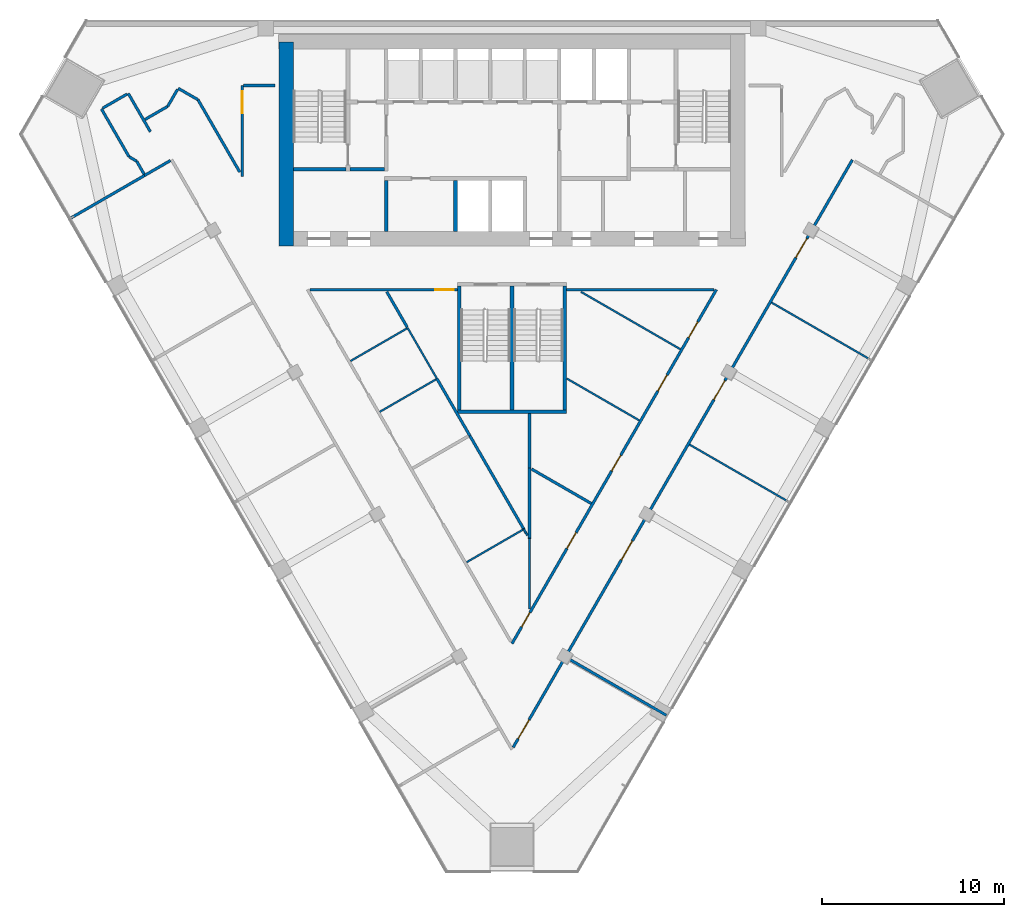
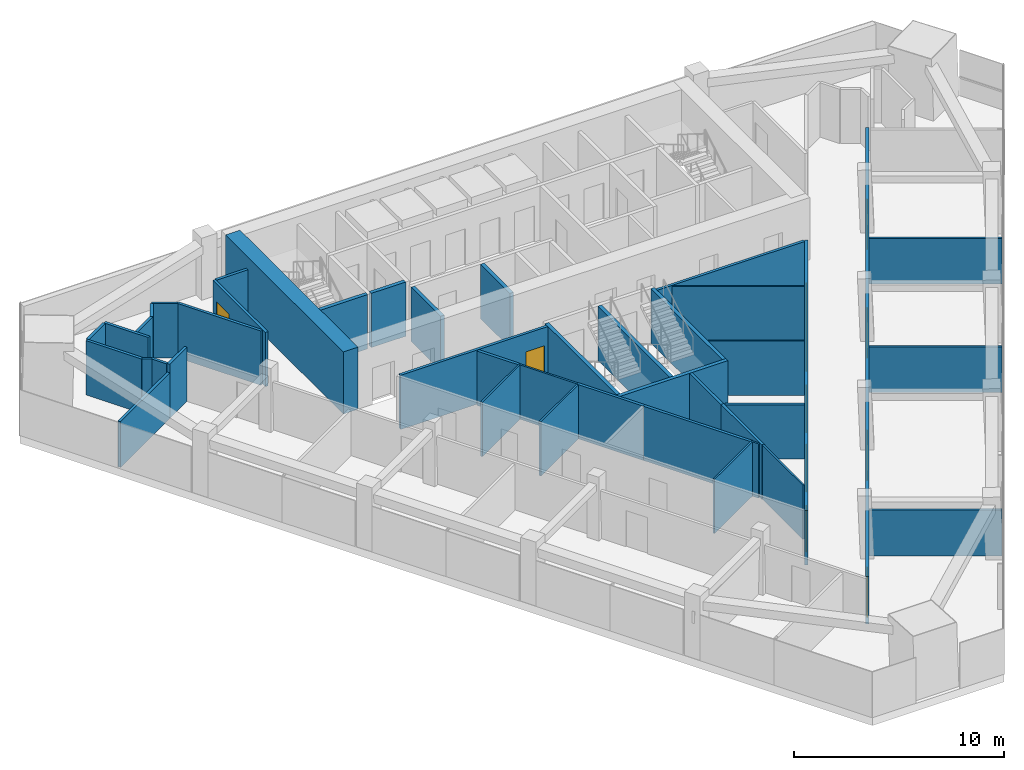
# One storey, part 9 of 13: 43 walls, 11 doors, 11 openings.
"""IFC4 building model written with IfcOpenShell, lengths in metres."""

from ifc_helpers import new_model, si_unit, direction, frame, frame_2d, origin, place, context, subcontext, project, spatial, rectangle, extrude, material, layer, layer_set, type_object, element, fill, save


model = new_model("IFC4")

# Units and contexts
model_context = context("Model", 3, precision=1e-05, world=origin(), true_north=direction((0.0, 1.0)))
body_context = subcontext(model_context, "Body", "Model", "MODEL_VIEW")
ifc_project = project(units=[si_unit("LENGTHUNIT", "METRE"), si_unit("AREAUNIT", "SQUARE_METRE"), si_unit("VOLUMEUNIT", "CUBIC_METRE"), si_unit("PLANEANGLEUNIT", "RADIAN"), si_unit("MASSUNIT", "GRAM", prefix="KILO")], contexts=[model_context])

# Site, building, storey
site_placement = place(None, origin())
site = spatial("IfcSite", under=ifc_project, at=site_placement, CompositionType="ELEMENT")
building_placement = place(site_placement, origin())
building = spatial("IfcBuilding", under=site, at=building_placement, Name="Altiplano Prism Tower", CompositionType="ELEMENT")
storey_placement = place(building_placement, frame((0.0, 0.0, 156.60009765625)))
storey = spatial("IfcBuildingStorey", under=building, at=storey_placement, Name="L40", CompositionType="ELEMENT", Elevation=156.60009765625)

# Walls
ifc_material_1 = material(Name="Concrete C60/75", Category="concrete")
ifc_layer_1 = layer(ifc_material_1, 0.800048828125)
ifc_layer_set_1 = layer_set([ifc_layer_1], Name="Concrete C60/75")
wall_type_1 = type_object("IfcWallType", Name="Core wall 800", PredefinedType="SHEAR", material=ifc_layer_set_1)
wall_1_placement = place(storey_placement, frame((72.60009765625, 103.800048828125, 0.0), z_axis=(0.0, 0.0, 1.0), x_axis=(0.0, -1.0, 0.0)))
element("IfcWall", 1, at=wall_1_placement, inside=storey, type_object=wall_type_1, Name="Core wall W L40", PredefinedType="SHEAR", context=body_context, shape_type="SweptSolid", body=[
    extrude(rectangle(XDim=11.199951171875, YDim=0.800048828125, at=frame_2d((5.60009765625, 0.0))), origin(), (0.0, 0.0, 1.0), 3.599853515625),
])
ifc_material_2 = material(Name="Plasterboard on steel stud", Category="steel")
ifc_layer_2 = layer(ifc_material_2, 0.10009765625)
ifc_layer_set_2 = layer_set([ifc_layer_2], Name="Plasterboard on steel stud")
wall_type_2 = type_object("IfcWallType", Name="Partition 100 wet", PredefinedType="PARTITIONING", material=ifc_layer_set_2)
wall_2_placement = place(storey_placement, frame((79.27490234375, 88.09716796875, 0.0), z_axis=(0.0, 0.0, 1.0), x_axis=(-0.866014071019, -0.500019628412, 0.0)))
element("IfcWall", 2, at=wall_2_placement, inside=storey, type_object=wall_type_2, Name="Partition P03 L40 031", PredefinedType="PARTITIONING", context=body_context, shape_type="SweptSolid", body=[
    extrude(rectangle(XDim=3.626708984375, YDim=0.10009765625, at=frame_2d((1.8134765625, 0.0))), origin(), (0.0, 0.0, 1.0), 3.14990234375),
])
wall_3_placement = place(storey_placement, frame((77.742919921875, 83.4970703125, 0.0), z_axis=(0.0, 0.0, 1.0), x_axis=(0.866009290698, 0.500027907647, 0.0)))
element("IfcWall", 3, at=wall_3_placement, inside=storey, type_object=wall_type_2, Name="Partition P03 L40 032", PredefinedType="PARTITIONING", context=body_context, shape_type="SweptSolid", body=[
    extrude(rectangle(XDim=3.551513671875, YDim=0.10009765625, at=frame_2d((1.77587890625, 0.0))), origin(), (0.0, 0.0, 1.0), 3.14990234375),
])
wall_4_placement = place(storey_placement, frame((80.87353515625, 85.327880859375, 0.0), z_axis=(0.0, 0.0, 1.0), x_axis=(-0.499950149885, 0.866054182849, 0.0)))
element("IfcWall", 4, at=wall_4_placement, inside=storey, type_object=wall_type_2, Name="Partition P03 L40 033", PredefinedType="PARTITIONING", context=body_context, shape_type="SweptSolid", body=[
    extrude(rectangle(XDim=3.217529296875, YDim=0.10009765625, at=frame_2d((1.60888671875, 0.0))), origin(), (0.0, 0.0, 1.0), 3.14990234375),
])
wall_5_placement = place(storey_placement, frame((85.962890625, 72.681396484375, 0.0), z_axis=(0.0, 0.0, 1.0), x_axis=(0.0, 1.0, 0.0)))
element("IfcWall", 5, at=wall_5_placement, inside=storey, type_object=wall_type_2, Name="Partition P03 L40 034", PredefinedType="PARTITIONING", context=body_context, shape_type="SweptSolid", body=[
    extrude(rectangle(XDim=3.871826171875, YDim=0.10009765625, at=frame_2d((1.93603515625, 0.0))), origin(), (0.0, 0.0, 1.0), 3.14990234375),
])
wall_6_placement = place(storey_placement, frame((85.844482421875, 76.718017578125, 0.0), z_axis=(0.0, 0.0, 1.0), x_axis=(-0.49996174997, 0.866047486323, 0.0)))
element("IfcWall", 6, at=wall_6_placement, inside=storey, type_object=wall_type_2, Name="Partition P03 L40 035", PredefinedType="PARTITIONING", context=body_context, shape_type="SweptSolid", body=[
    extrude(rectangle(XDim=0.412109375, YDim=0.10009765625, at=frame_2d((0.2060546875, 0.0))), origin(), (0.0, 0.0, 1.0), 3.14990234375),
])
wall_7_placement = place(storey_placement, frame((85.6484375, 77.0576171875, 0.0), z_axis=(0.0, 0.0, 1.0), x_axis=(-0.866014071019, -0.500019628412, 0.0)))
element("IfcWall", 7, at=wall_7_placement, inside=storey, type_object=wall_type_2, Name="Partition P03 L40 036", PredefinedType="PARTITIONING", context=body_context, shape_type="SweptSolid", body=[
    extrude(rectangle(XDim=3.626708984375, YDim=0.10009765625, at=frame_2d((1.8134765625, 0.0))), origin(), (0.0, 0.0, 1.0), 3.14990234375),
])
wall_8_placement = place(storey_placement, frame((88.78759765625, 90.080810546875, 0.0), z_axis=(0.0, 0.0, 1.0), x_axis=(0.866010599466, -0.500025640954, 0.0)))
element("IfcWall", 8, at=wall_8_placement, inside=storey, type_object=wall_type_2, Name="Partition P03 L40 037", PredefinedType="PARTITIONING", context=body_context, shape_type="SweptSolid", body=[
    extrude(rectangle(XDim=6.296630859375, YDim=0.10009765625, at=frame_2d((3.1484375, 0.0))), origin(), (0.0, 0.0, 1.0), 3.14990234375),
])
for number, where, z_axis, x_axis, name in (
    (9, (100.22021484375, 78.53759765625, 0.0), (0.0, 0.0, 1.0), (-0.866015887322, 0.500016482634, 0.0), "Partition P03 L40 049"),
    (10, (104.72021484375, 86.33203125, 0.0), (0.0, 0.0, 1.0), (-0.866032601554, 0.49998753289, 0.0), "Partition P03 L40 050"),
):
    element("IfcWall", number, at=place(storey_placement, frame(where, z_axis=z_axis, x_axis=x_axis)), inside=storey, type_object=wall_type_2, Name=name, PredefinedType="PARTITIONING", context=body_context, shape_type="SweptSolid", body=[
        extrude(rectangle(XDim=6.324951171875, YDim=0.10009765625, at=frame_2d((3.16259765625, 0.0))), origin(), (0.0, 0.0, 1.0), 2.64990234375),
    ])
wall_9_placement = place(storey_placement, frame((88.0, 85.327880859375, 0.0), z_axis=(0.0, 0.0, 1.0), x_axis=(0.866030989016, -0.499990325971, 0.0)))
element("IfcWall", 11, at=wall_9_placement, inside=storey, type_object=wall_type_2, Name="Partition P03 L40 054", PredefinedType="PARTITIONING", context=body_context, shape_type="SweptSolid", body=[
    extrude(rectangle(XDim=4.60205078125, YDim=0.10009765625, at=frame_2d((2.301025390625, 0.0))), origin(), (0.0, 0.0, 1.0), 3.14990234375),
])
ifc_layer_3 = layer(ifc_material_2, 0.14990234375)
ifc_layer_set_3 = layer_set([ifc_layer_3], Name="Plasterboard on steel stud")
wall_type_3 = type_object("IfcWallType", Name="Partition 150 corridor", PredefinedType="PARTITIONING", material=ifc_layer_set_3)
wall_10_placement = place(storey_placement, frame((88.0, 90.198974609375, 0.0), z_axis=(0.0, 0.0, 1.0), x_axis=(1.0, 0.0, 0.0)))
element("IfcWall", 12, at=wall_10_placement, inside=storey, type_object=wall_type_3, Name="Partition P06 L40 001", PredefinedType="PARTITIONING", context=body_context, shape_type="SweptSolid", body=[
    extrude(rectangle(XDim=8.083251953125, YDim=0.14990234375, at=frame_2d((4.04150390625, 0.0))), origin(), (0.0, 0.0, 1.0), 3.14990234375),
])

# Wall, opening, door
wall_11_placement = place(storey_placement, frame((73.916748046875, 90.198974609375, 0.0), z_axis=(0.0, 0.0, 1.0), x_axis=(1.0, 0.0, 0.0)))
wall_11 = element("IfcWall", 13, at=wall_11_placement, inside=storey, type_object=wall_type_3, Name="Partition P06 L40 003", PredefinedType="PARTITIONING", context=body_context, shape_type="SweptSolid", body=[
    extrude(rectangle(XDim=8.083251953125, YDim=0.14990234375, at=frame_2d((4.04150390625, 0.0))), origin(), (0.0, 0.0, 1.0), 3.14990234375),
])
opening_1_placement = place(wall_11_placement, frame((6.883056640625, 0.0, 0.0)))
opening_1 = element("IfcOpeningElement", 14, at=opening_1_placement, cuts=wall_11, Name="Opening D1451", PredefinedType="OPENING", context=body_context, shape_type="SweptSolid", body=[
    extrude(rectangle(XDim=1.0, YDim=2.10009765625, at=frame_2d((0.5, 1.050048828125))), frame((0.0, 0.08544921875, 0.0), z_axis=(0.0, -1.0, 0.0), x_axis=(1.0, 0.0, 0.0)), (0.0, 0.0, 1.0), 0.1708984375),
])
ifc_material_3 = material(Name="Timber", Category="wood")
door_type_1 = type_object("IfcDoorType", Name="Room door 1000 x 2100", OperationType="NOTDEFINED", PredefinedType="NOTDEFINED", material=ifc_material_3)
door_1_placement = place(opening_1_placement, origin())
door_1 = element("IfcDoor", 15, at=door_1_placement, inside=storey, type_object=door_type_1, Name="Door D1451", OperationType="SINGLE_SWING_RIGHT", OverallHeight=2.10009765625, OverallWidth=1.0, PredefinedType="NOTDEFINED", context=body_context, shape_type="SweptSolid", body=[
    extrude(rectangle(XDim=1.0, YDim=2.10009765625, at=frame_2d((0.5, 1.050048828125))), frame((0.0, 0.02490234375, 0.0), z_axis=(0.0, -1.0, 0.0), x_axis=(1.0, 0.0, 0.0)), (0.0, 0.0, 1.0), 0.050048828125),
])
fill(opening_1, door_1)

# Wall
wall_12_placement = place(storey_placement, frame((64.832763671875, 96.466064453125, 0.0), z_axis=(0.0, 0.0, 1.0), x_axis=(0.866015045157, 0.50001794124, 0.0)))
element("IfcWall", 16, at=wall_12_placement, inside=storey, type_object=wall_type_3, Name="Partition P06 L40 004", PredefinedType="PARTITIONING", context=body_context, shape_type="SweptSolid", body=[
    extrude(rectangle(XDim=1.64501953125, YDim=0.14990234375, at=frame_2d((0.822509765625, 0.0))), origin(), (0.0, 0.0, 1.0), 3.14990234375),
])

# Wall, openings, doors
wall_13_placement = place(storey_placement, frame((85.06494140625, 65.087890625, 0.0), z_axis=(0.0, 0.0, 1.0), x_axis=(0.500000254076, 0.866025257093, 0.0)))
wall_13 = element("IfcWall", 17, at=wall_13_placement, inside=storey, type_object=wall_type_3, Name="Partition P06 L40 006", PredefinedType="PARTITIONING", context=body_context, shape_type="SweptSolid", body=[
    extrude(rectangle(XDim=37.2255859375, YDim=0.14990234375, at=frame_2d((18.61279296875, 0.0))), origin(), (0.0, 0.0, 1.0), 2.75),
])
opening_2_placement = place(wall_13_placement, frame((0.5419921875, 0.0, 0.0)))
opening_2 = element("IfcOpeningElement", 18, at=opening_2_placement, cuts=wall_13, Name="Opening D1445", PredefinedType="OPENING", context=body_context, shape_type="SweptSolid", body=[
    extrude(rectangle(XDim=1.199951171875, YDim=2.10009765625, at=frame_2d((0.60009765625, 1.050048828125))), frame((0.0, 0.08544921875, 0.0), z_axis=(0.0, -1.0, 0.0), x_axis=(1.0, 0.0, 0.0)), (0.0, 0.0, 1.0), 0.1708984375),
])
opening_3_placement = place(wall_13_placement, frame((11.8759765625, 0.0, 0.0)))
opening_3 = element("IfcOpeningElement", 19, at=opening_3_placement, cuts=wall_13, Name="Opening D1446", PredefinedType="OPENING", context=body_context, shape_type="SweptSolid", body=[
    extrude(rectangle(XDim=1.199951171875, YDim=2.10009765625, at=frame_2d((0.60009765625, 1.050048828125))), frame((0.0, 0.08544921875, 0.0), z_axis=(0.0, -1.0, 0.0), x_axis=(1.0, 0.0, 0.0)), (0.0, 0.0, 1.0), 0.1708984375),
])
opening_4_placement = place(wall_13_placement, frame((22.02587890625, 0.0, 0.0)))
opening_4 = element("IfcOpeningElement", 20, at=opening_4_placement, cuts=wall_13, Name="Opening D1447", PredefinedType="OPENING", context=body_context, shape_type="SweptSolid", body=[
    extrude(rectangle(XDim=1.199951171875, YDim=2.10009765625, at=frame_2d((0.60009765625, 1.050048828125))), frame((0.0, 0.08544921875, 0.0), z_axis=(0.0, -1.0, 0.0), x_axis=(1.0, 0.0, 0.0)), (0.0, 0.0, 1.0), 0.1708984375),
])
opening_5_placement = place(wall_13_placement, frame((31.02587890625, 0.0, 0.0)))
opening_5 = element("IfcOpeningElement", 21, at=opening_5_placement, cuts=wall_13, Name="Opening D1448", PredefinedType="OPENING", context=body_context, shape_type="SweptSolid", body=[
    extrude(rectangle(XDim=1.199951171875, YDim=2.10009765625, at=frame_2d((0.60009765625, 1.050048828125))), frame((0.0, 0.08544921875, 0.0), z_axis=(0.0, -1.0, 0.0), x_axis=(1.0, 0.0, 0.0)), (0.0, 0.0, 1.0), 0.1708984375),
])
door_type_2 = type_object("IfcDoorType", Name="Shared room door 1200 x 2100", OperationType="NOTDEFINED", PredefinedType="NOTDEFINED", material=ifc_material_3)
door_2_placement = place(opening_2_placement, origin())
door_2 = element("IfcDoor", 22, at=door_2_placement, inside=storey, type_object=door_type_2, Name="Door D1445", OperationType="SINGLE_SWING_LEFT", OverallHeight=2.10009765625, OverallWidth=1.199951171875, PredefinedType="NOTDEFINED", context=body_context, shape_type="SweptSolid", body=[
    extrude(rectangle(XDim=1.199951171875, YDim=2.10009765625, at=frame_2d((0.60009765625, 1.050048828125))), frame((0.0, 0.02490234375, 0.0), z_axis=(0.0, -1.0, 0.0), x_axis=(1.0, 0.0, 0.0)), (0.0, 0.0, 1.0), 0.050048828125),
])
fill(opening_2, door_2)
door_3_placement = place(opening_3_placement, origin())
door_3 = element("IfcDoor", 23, at=door_3_placement, inside=storey, type_object=door_type_2, Name="Door D1446", OperationType="SINGLE_SWING_RIGHT", OverallHeight=2.10009765625, OverallWidth=1.199951171875, PredefinedType="NOTDEFINED", context=body_context, shape_type="SweptSolid", body=[
    extrude(rectangle(XDim=1.199951171875, YDim=2.10009765625, at=frame_2d((0.60009765625, 1.050048828125))), frame((0.0, 0.02490234375, 0.0), z_axis=(0.0, -1.0, 0.0), x_axis=(1.0, 0.0, 0.0)), (0.0, 0.0, 1.0), 0.050048828125),
])
fill(opening_3, door_3)
door_4_placement = place(opening_4_placement, origin())
door_4 = element("IfcDoor", 24, at=door_4_placement, inside=storey, type_object=door_type_2, Name="Door D1447", OperationType="SINGLE_SWING_LEFT", OverallHeight=2.10009765625, OverallWidth=1.199951171875, PredefinedType="NOTDEFINED", context=body_context, shape_type="SweptSolid", body=[
    extrude(rectangle(XDim=1.199951171875, YDim=2.10009765625, at=frame_2d((0.60009765625, 1.050048828125))), frame((0.0, 0.02490234375, 0.0), z_axis=(0.0, -1.0, 0.0), x_axis=(1.0, 0.0, 0.0)), (0.0, 0.0, 1.0), 0.050048828125),
])
fill(opening_4, door_4)
door_5_placement = place(opening_5_placement, origin())
door_5 = element("IfcDoor", 25, at=door_5_placement, inside=storey, type_object=door_type_2, Name="Door D1448", OperationType="SINGLE_SWING_LEFT", OverallHeight=2.10009765625, OverallWidth=1.199951171875, PredefinedType="NOTDEFINED", context=body_context, shape_type="SweptSolid", body=[
    extrude(rectangle(XDim=1.199951171875, YDim=2.10009765625, at=frame_2d((0.60009765625, 1.050048828125))), frame((0.0, 0.02490234375, 0.0), z_axis=(0.0, -1.0, 0.0), x_axis=(1.0, 0.0, 0.0)), (0.0, 0.0, 1.0), 0.050048828125),
])
fill(opening_5, door_5)

# Wall
wall_14_placement = place(storey_placement, frame((72.0, 101.40087890625, 0.0), z_axis=(0.0, 0.0, 1.0), x_axis=(-1.0, 0.0, 0.0)))
element("IfcWall", 26, at=wall_14_placement, inside=storey, type_object=wall_type_3, Name="Partition P06 L40 019", PredefinedType="PARTITIONING", context=body_context, shape_type="SweptSolid", body=[
    extrude(rectangle(XDim=1.72509765625, YDim=0.14990234375, at=frame_2d((0.862548828125, 0.0))), origin(), (0.0, 0.0, 1.0), 3.14990234375),
])

# Wall, opening, door
wall_15_placement = place(storey_placement, frame((70.199951171875, 101.40087890625, 0.0), z_axis=(0.0, 0.0, 1.0), x_axis=(-0.000195800084, -0.999999980831, 0.0)))
wall_15 = element("IfcWall", 27, at=wall_15_placement, inside=storey, type_object=wall_type_3, Name="Partition P06 L40 020", PredefinedType="PARTITIONING", context=body_context, shape_type="SweptSolid", body=[
    extrude(rectangle(XDim=4.987548828125, YDim=0.14990234375, at=frame_2d((2.49365234375, 0.0))), origin(), (0.0, 0.0, 1.0), 3.14990234375),
])
opening_6_placement = place(wall_15_placement, frame((0.321044921875, 0.0, 0.0)))
opening_6 = element("IfcOpeningElement", 28, at=opening_6_placement, cuts=wall_15, Name="Opening D1450", PredefinedType="OPENING", context=body_context, shape_type="SweptSolid", body=[
    extrude(rectangle(XDim=1.199951171875, YDim=2.10009765625, at=frame_2d((0.60009765625, 1.050048828125))), frame((0.0, 0.08544921875, 0.0), z_axis=(0.0, -1.0, 0.0), x_axis=(1.0, 0.0, 0.0)), (0.0, 0.0, 1.0), 0.1708984375),
])
door_6_placement = place(opening_6_placement, origin())
door_6 = element("IfcDoor", 29, at=door_6_placement, inside=storey, type_object=door_type_2, Name="Door D1450", OperationType="SINGLE_SWING_RIGHT", OverallHeight=2.10009765625, OverallWidth=1.199951171875, PredefinedType="NOTDEFINED", context=body_context, shape_type="SweptSolid", body=[
    extrude(rectangle(XDim=1.199951171875, YDim=2.10009765625, at=frame_2d((0.60009765625, 1.050048828125))), frame((0.0, 0.02490234375, 0.0), z_axis=(0.0, -1.0, 0.0), x_axis=(1.0, 0.0, 0.0)), (0.0, 0.0, 1.0), 0.050048828125),
])
fill(opening_6, door_6)

# Walls
wall_16_placement = place(storey_placement, frame((70.05908203125, 96.65576171875, 0.0), z_axis=(0.0, 0.0, 1.0), x_axis=(-0.499996140324, 0.866027632158, 0.0)))
element("IfcWall", 30, at=wall_16_placement, inside=storey, type_object=wall_type_3, Name="Partition P06 L40 021", PredefinedType="PARTITIONING", context=body_context, shape_type="SweptSolid", body=[
    extrude(rectangle(XDim=4.58154296875, YDim=0.14990234375, at=frame_2d((2.290771484375, 0.0))), origin(), (0.0, 0.0, 1.0), 3.14990234375),
])
wall_17_placement = place(storey_placement, frame((67.768310546875, 100.62353515625, 0.0), z_axis=(0.0, 0.0, 1.0), x_axis=(-0.865997867399, 0.500047691386, 0.0)))
element("IfcWall", 31, at=wall_17_placement, inside=storey, type_object=wall_type_3, Name="Partition P06 L40 022", PredefinedType="PARTITIONING", context=body_context, shape_type="SweptSolid", body=[
    extrude(rectangle(XDim=1.25634765625, YDim=0.14990234375, at=frame_2d((0.628173828125, 0.0))), origin(), (0.0, 0.0, 1.0), 3.14990234375),
])
wall_18_placement = place(storey_placement, frame((66.642822265625, 101.186767578125, 0.0), z_axis=(0.0, 0.0, 1.0), x_axis=(-0.500901270799, -0.86550442917, 0.0)))
element("IfcWall", 32, at=wall_18_placement, inside=storey, type_object=wall_type_3, Name="Partition P06 L40 023", PredefinedType="PARTITIONING", context=body_context, shape_type="SweptSolid", body=[
    extrude(rectangle(XDim=1.0693359375, YDim=0.14990234375, at=frame_2d((0.53466796875, 0.0))), origin(), (0.0, 0.0, 1.0), 3.14990234375),
])
wall_19_placement = place(storey_placement, frame((66.107177734375, 100.26123046875, 0.0), z_axis=(0.0, 0.0, 1.0), x_axis=(-0.865999968086, -0.500044053335, 0.0)))
element("IfcWall", 33, at=wall_19_placement, inside=storey, type_object=wall_type_3, Name="Partition P06 L40 024", PredefinedType="PARTITIONING", context=body_context, shape_type="SweptSolid", body=[
    extrude(rectangle(XDim=1.445556640625, YDim=0.14990234375, at=frame_2d((0.72265625, 0.0))), origin(), (0.0, 0.0, 1.0), 3.14990234375),
])
wall_20_placement = place(storey_placement, frame((65.15478515625, 98.869384765625, 0.0), z_axis=(0.0, 0.0, 1.0), x_axis=(-0.500021275498, 0.866013120021, 0.0)))
element("IfcWall", 34, at=wall_20_placement, inside=storey, type_object=wall_type_3, Name="Partition P06 L40 025", PredefinedType="PARTITIONING", context=body_context, shape_type="SweptSolid", body=[
    extrude(rectangle(XDim=2.42822265625, YDim=0.14990234375, at=frame_2d((1.214111328125, 0.0))), origin(), (0.0, 0.0, 1.0), 3.14990234375),
])
wall_21_placement = place(storey_placement, frame((63.875732421875, 100.934814453125, 0.0), z_axis=(0.0, 0.0, 1.0), x_axis=(-0.865975732936, -0.500086022567, 0.0)))
element("IfcWall", 35, at=wall_21_placement, inside=storey, type_object=wall_type_3, Name="Partition P06 L40 026", PredefinedType="PARTITIONING", context=body_context, shape_type="SweptSolid", body=[
    extrude(rectangle(XDim=1.550048828125, YDim=0.14990234375, at=frame_2d((0.77490234375, 0.0))), origin(), (0.0, 0.0, 1.0), 3.14990234375),
])
wall_22_placement = place(storey_placement, frame((62.468505859375, 100.122314453125, 0.0), z_axis=(0.0, 0.0, 1.0), x_axis=(0.49997322687, -0.866040860707, 0.0)))
element("IfcWall", 36, at=wall_22_placement, inside=storey, type_object=wall_type_3, Name="Partition P06 L40 027", PredefinedType="PARTITIONING", context=body_context, shape_type="SweptSolid", body=[
    extrude(rectangle(XDim=3.033935546875, YDim=0.14990234375, at=frame_2d((1.51708984375, 0.0))), origin(), (0.0, 0.0, 1.0), 3.14990234375),
])
wall_23_placement = place(storey_placement, frame((63.9853515625, 97.494873046875, 0.0), z_axis=(0.0, 0.0, 1.0), x_axis=(0.86622802292, -0.49964888903, 0.0)))
element("IfcWall", 37, at=wall_23_placement, inside=storey, type_object=wall_type_3, Name="Partition P06 L40 028", PredefinedType="PARTITIONING", context=body_context, shape_type="SweptSolid", body=[
    extrude(rectangle(XDim=0.478759765625, YDim=0.14990234375, at=frame_2d((0.2392578125, 0.0))), origin(), (0.0, 0.0, 1.0), 3.14990234375),
])
wall_24_placement = place(storey_placement, frame((64.400146484375, 97.255615234375, 0.0), z_axis=(0.0, 0.0, 1.0), x_axis=(0.499799303857, -0.866141244754, 0.0)))
element("IfcWall", 38, at=wall_24_placement, inside=storey, type_object=wall_type_3, Name="Partition P06 L40 029", PredefinedType="PARTITIONING", context=body_context, shape_type="SweptSolid", body=[
    extrude(rectangle(XDim=0.824951171875, YDim=0.14990234375, at=frame_2d((0.41259765625, 0.0))), origin(), (0.0, 0.0, 1.0), 3.14990234375),
])

# Wall, openings, doors
wall_25_placement = place(storey_placement, frame((96.213134765625, 90.198974609375, 0.0), z_axis=(0.0, 0.0, 1.0), x_axis=(-0.500001704285, -0.866024419813, 0.0)))
wall_25 = element("IfcWall", 39, at=wall_25_placement, inside=storey, type_object=wall_type_3, Name="Partition P06 L40 030", PredefinedType="PARTITIONING", context=body_context, shape_type="SweptSolid", body=[
    extrude(rectangle(XDim=22.42626953125, YDim=0.14990234375, at=frame_2d((11.213134765625, 0.0))), origin(), (0.0, 0.0, 1.0), 3.14990234375),
])
opening_7_placement = place(wall_25_placement, frame((20.462890625, 0.0, 0.0)))
opening_7 = element("IfcOpeningElement", 40, at=opening_7_placement, cuts=wall_25, Name="Opening D1436", PredefinedType="OPENING", context=body_context, shape_type="SweptSolid", body=[
    extrude(rectangle(XDim=0.89990234375, YDim=2.10009765625, at=frame_2d((0.449951171875, 1.050048828125))), frame((0.0, 0.08544921875, 0.0), z_axis=(0.0, -1.0, 0.0), x_axis=(1.0, 0.0, 0.0)), (0.0, 0.0, 1.0), 0.1708984375),
])
opening_8_placement = place(wall_25_placement, frame((2.04296875, 0.0, 0.0)))
opening_8 = element("IfcOpeningElement", 41, at=opening_8_placement, cuts=wall_25, Name="Opening D1437", PredefinedType="OPENING", context=body_context, shape_type="SweptSolid", body=[
    extrude(rectangle(XDim=1.0, YDim=2.10009765625, at=frame_2d((0.5, 1.050048828125))), frame((0.0, 0.08544921875, 0.0), z_axis=(0.0, -1.0, 0.0), x_axis=(1.0, 0.0, 0.0)), (0.0, 0.0, 1.0), 0.1708984375),
])
opening_9_placement = place(wall_25_placement, frame((15.39501953125, 0.0, 0.0)))
opening_9 = element("IfcOpeningElement", 42, at=opening_9_placement, cuts=wall_25, Name="Opening D1440", PredefinedType="OPENING", context=body_context, shape_type="SweptSolid", body=[
    extrude(rectangle(XDim=1.0, YDim=2.10009765625, at=frame_2d((0.5, 1.050048828125))), frame((0.0, 0.08544921875, 0.0), z_axis=(0.0, -1.0, 0.0), x_axis=(1.0, 0.0, 0.0)), (0.0, 0.0, 1.0), 0.1708984375),
])
opening_10_placement = place(wall_25_placement, frame((5.4140625, 0.0, 0.0)))
opening_10 = element("IfcOpeningElement", 43, at=opening_10_placement, cuts=wall_25, Name="Opening D1452", PredefinedType="OPENING", context=body_context, shape_type="SweptSolid", body=[
    extrude(rectangle(XDim=1.0, YDim=2.10009765625, at=frame_2d((0.5, 1.050048828125))), frame((0.0, 0.08544921875, 0.0), z_axis=(0.0, -1.0, 0.0), x_axis=(1.0, 0.0, 0.0)), (0.0, 0.0, 1.0), 0.1708984375),
])
opening_11_placement = place(wall_25_placement, frame((10.490966796875, 0.0, 0.0)))
opening_11 = element("IfcOpeningElement", 44, at=opening_11_placement, cuts=wall_25, Name="Opening D1453", PredefinedType="OPENING", context=body_context, shape_type="SweptSolid", body=[
    extrude(rectangle(XDim=1.0, YDim=2.10009765625, at=frame_2d((0.5, 1.050048828125))), frame((0.0, 0.08544921875, 0.0), z_axis=(0.0, -1.0, 0.0), x_axis=(1.0, 0.0, 0.0)), (0.0, 0.0, 1.0), 0.1708984375),
])
door_7_placement = place(opening_10_placement, origin())
door_7 = element("IfcDoor", 45, at=door_7_placement, inside=storey, type_object=door_type_1, Name="Door D1452", OperationType="SINGLE_SWING_LEFT", OverallHeight=2.10009765625, OverallWidth=1.0, PredefinedType="NOTDEFINED", context=body_context, shape_type="SweptSolid", body=[
    extrude(rectangle(XDim=1.0, YDim=2.10009765625, at=frame_2d((0.5, 1.050048828125))), frame((0.0, 0.02490234375, 0.0), z_axis=(0.0, -1.0, 0.0), x_axis=(1.0, 0.0, 0.0)), (0.0, 0.0, 1.0), 0.050048828125),
])
fill(opening_10, door_7)
door_8_placement = place(opening_11_placement, origin())
door_8 = element("IfcDoor", 46, at=door_8_placement, inside=storey, type_object=door_type_1, Name="Door D1453", OperationType="SINGLE_SWING_RIGHT", OverallHeight=2.10009765625, OverallWidth=1.0, PredefinedType="NOTDEFINED", context=body_context, shape_type="SweptSolid", body=[
    extrude(rectangle(XDim=1.0, YDim=2.10009765625, at=frame_2d((0.5, 1.050048828125))), frame((0.0, 0.02490234375, 0.0), z_axis=(0.0, -1.0, 0.0), x_axis=(1.0, 0.0, 0.0)), (0.0, 0.0, 1.0), 0.050048828125),
])
fill(opening_11, door_8)
door_type_3 = type_object("IfcDoorType", Name="Store door 1000 x 2100", OperationType="NOTDEFINED", PredefinedType="NOTDEFINED", material=ifc_material_3)
door_9_placement = place(opening_8_placement, origin())
door_9 = element("IfcDoor", 47, at=door_9_placement, inside=storey, type_object=door_type_3, Name="Door D1437", OperationType="SINGLE_SWING_LEFT", OverallHeight=2.10009765625, OverallWidth=1.0, PredefinedType="NOTDEFINED", context=body_context, shape_type="SweptSolid", body=[
    extrude(rectangle(XDim=1.0, YDim=2.10009765625, at=frame_2d((0.5, 1.050048828125))), frame((0.0, 0.02490234375, 0.0), z_axis=(0.0, -1.0, 0.0), x_axis=(1.0, 0.0, 0.0)), (0.0, 0.0, 1.0), 0.050048828125),
])
fill(opening_8, door_9)
door_10_placement = place(opening_9_placement, origin())
door_10 = element("IfcDoor", 48, at=door_10_placement, inside=storey, type_object=door_type_3, Name="Door D1440", OperationType="SINGLE_SWING_LEFT", OverallHeight=2.10009765625, OverallWidth=1.0, PredefinedType="NOTDEFINED", context=body_context, shape_type="SweptSolid", body=[
    extrude(rectangle(XDim=1.0, YDim=2.10009765625, at=frame_2d((0.5, 1.050048828125))), frame((0.0, 0.02490234375, 0.0), z_axis=(0.0, -1.0, 0.0), x_axis=(1.0, 0.0, 0.0)), (0.0, 0.0, 1.0), 0.050048828125),
])
fill(opening_9, door_10)
door_type_4 = type_object("IfcDoorType", Name="Toilet door 900 x 2100", OperationType="NOTDEFINED", PredefinedType="NOTDEFINED", material=ifc_material_3)
door_11_placement = place(opening_7_placement, origin())
door_11 = element("IfcDoor", 49, at=door_11_placement, inside=storey, type_object=door_type_4, Name="Door D1436", OperationType="SINGLE_SWING_LEFT", OverallHeight=2.10009765625, OverallWidth=0.89990234375, PredefinedType="NOTDEFINED", context=body_context, shape_type="SweptSolid", body=[
    extrude(rectangle(XDim=0.89990234375, YDim=2.10009765625, at=frame_2d((0.449951171875, 1.050048828125))), frame((0.0, 0.02490234375, 0.0), z_axis=(0.0, -1.0, 0.0), x_axis=(1.0, 0.0, 0.0)), (0.0, 0.0, 1.0), 0.050048828125),
])
fill(opening_7, door_11)

# Walls
ifc_layer_4 = layer(ifc_material_2, 0.14990234375)
ifc_layer_set_4 = layer_set([ifc_layer_4], Name="Plasterboard on steel stud")
wall_type_4 = type_object("IfcWallType", Name="Partition 150 party", PredefinedType="PARTITIONING", material=ifc_layer_set_4)
wall_26_placement = place(storey_placement, frame((79.249755859375, 88.140380859375, 0.0), z_axis=(0.0, 0.0, 1.0), x_axis=(-0.499995192696, 0.866028179265, 0.0)))
element("IfcWall", 50, at=wall_26_placement, inside=storey, type_object=wall_type_4, Name="Partition P01 L40 038", PredefinedType="PARTITIONING", context=body_context, shape_type="SweptSolid", body=[
    extrude(rectangle(XDim=2.2470703125, YDim=0.14990234375, at=frame_2d((1.12353515625, 0.0))), origin(), (0.0, 0.0, 1.0), 3.14990234375),
])
wall_27_placement = place(storey_placement, frame((82.688232421875, 82.184814453125, 0.0), z_axis=(0.0, 0.0, 1.0), x_axis=(-0.500009718699, 0.866019792618, 0.0)))
element("IfcWall", 51, at=wall_27_placement, inside=storey, type_object=wall_type_4, Name="Partition P01 L40 039", PredefinedType="PARTITIONING", context=body_context, shape_type="SweptSolid", body=[
    extrude(rectangle(XDim=3.62939453125, YDim=0.14990234375, at=frame_2d((1.814697265625, 0.0))), origin(), (0.0, 0.0, 1.0), 3.14990234375),
])
wall_28_placement = place(storey_placement, frame((85.962890625, 80.44287109375, 0.0), z_axis=(0.0, 0.0, 1.0), x_axis=(0.0, -1.0, 0.0)))
element("IfcWall", 52, at=wall_28_placement, inside=storey, type_object=wall_type_4, Name="Partition P01 L40 041", PredefinedType="PARTITIONING", context=body_context, shape_type="SweptSolid", body=[
    extrude(rectangle(XDim=3.9296875, YDim=0.14990234375, at=frame_2d((1.96484375, 0.0))), origin(), (0.0, 0.0, 1.0), 3.14990234375),
])
wall_29_placement = place(storey_placement, frame((89.3525390625, 78.466064453125, 0.0), z_axis=(0.0, 0.0, 1.0), x_axis=(-0.866035181374, 0.499983064336, 0.0)))
element("IfcWall", 53, at=wall_29_placement, inside=storey, type_object=wall_type_4, Name="Partition P01 L40 042", PredefinedType="PARTITIONING", context=body_context, shape_type="SweptSolid", body=[
    extrude(rectangle(XDim=3.784423828125, YDim=0.14990234375, at=frame_2d((1.89208984375, 0.0))), origin(), (0.0, 0.0, 1.0), 3.14990234375),
])
wall_30_placement = place(storey_placement, frame((64.85009765625, 96.47607421875, 0.0), z_axis=(0.0, 0.0, 1.0), x_axis=(-0.866038532462, -0.499977259774, 0.0)))
element("IfcWall", 54, at=wall_30_placement, inside=storey, type_object=wall_type_4, Name="Partition P01 L40 044", PredefinedType="PARTITIONING", context=body_context, shape_type="SweptSolid", body=[
    extrude(rectangle(XDim=4.699951171875, YDim=0.14990234375, at=frame_2d((2.35009765625, 0.0))), origin(), (0.0, 0.0, 1.0), 2.64990234375),
])
wall_31_placement = place(storey_placement, frame((93.47021484375, 66.846435546875, 0.0), z_axis=(0.0, 0.0, 1.0), x_axis=(-0.866032601554, 0.49998753289, 0.0)))
element("IfcWall", 55, at=wall_31_placement, inside=storey, type_object=wall_type_4, Name="Partition P01 L40 048", PredefinedType="PARTITIONING", context=body_context, shape_type="SweptSolid", body=[
    extrude(rectangle(XDim=6.324951171875, YDim=0.14990234375, at=frame_2d((3.16259765625, 0.0))), origin(), (0.0, 0.0, 1.0), 2.64990234375),
])
wall_32_placement = place(storey_placement, frame((85.962890625, 80.423095703125, 0.0), z_axis=(0.0, 0.0, 1.0), x_axis=(0.0, 1.0, 0.0)))
element("IfcWall", 56, at=wall_32_placement, inside=storey, type_object=wall_type_4, Name="Partition P01 L40 052", PredefinedType="PARTITIONING", context=body_context, shape_type="SweptSolid", body=[
    extrude(rectangle(XDim=2.976806640625, YDim=0.14990234375, at=frame_2d((1.48828125, 0.0))), origin(), (0.0, 0.0, 1.0), 3.14990234375),
])
wall_33_placement = place(storey_placement, frame((82.67822265625, 82.2021484375, 0.0), z_axis=(0.0, 0.0, 1.0), x_axis=(0.500002315714, -0.866024066802, 0.0)))
element("IfcWall", 57, at=wall_33_placement, inside=storey, type_object=wall_type_4, Name="Partition P01 L40 053", PredefinedType="PARTITIONING", context=body_context, shape_type="SweptSolid", body=[
    extrude(rectangle(XDim=5.9404296875, YDim=0.14990234375, at=frame_2d((2.97021484375, 0.0))), origin(), (0.0, 0.0, 1.0), 3.14990234375),
])
ifc_layer_5 = layer(ifc_material_1, 0.199951171875)
ifc_layer_set_5 = layer_set([ifc_layer_5], Name="Concrete C60/75")
wall_type_5 = type_object("IfcWallType", Name="Shaft wall 200", PredefinedType="SOLIDWALL", material=ifc_layer_set_5)
wall_34_placement = place(storey_placement, frame((81.89990234375, 93.39990234375, 0.0), z_axis=(0.0, 0.0, 1.0), x_axis=(0.0, 1.0, 0.0)))
element("IfcWall", 58, at=wall_34_placement, inside=storey, type_object=wall_type_5, Name="Shaft wall L40", PredefinedType="SOLIDWALL", context=body_context, shape_type="SweptSolid", body=[
    extrude(rectangle(XDim=2.800048828125, YDim=0.199951171875, at=frame_2d((1.39990234375, 0.0))), origin(), (0.0, 0.0, 1.0), 3.14990234375),
])
ifc_layer_6 = layer(ifc_material_1, 0.199951171875)
ifc_layer_set_6 = layer_set([ifc_layer_6], Name="Concrete C60/75")
wall_type_6 = type_object("IfcWallType", Name="Stair wall 200", PredefinedType="SOLIDWALL", material=ifc_layer_set_6)
wall_35_placement = place(storey_placement, frame((73.0, 96.800048828125, 0.0), z_axis=(0.0, 0.0, 1.0), x_axis=(1.0, 0.0, 0.0)))
element("IfcWall", 59, at=wall_35_placement, inside=storey, type_object=wall_type_6, Name="Stair wall L40", PredefinedType="SOLIDWALL", context=body_context, shape_type="SweptSolid", body=[
    extrude(rectangle(XDim=2.89990234375, YDim=0.199951171875, at=frame_2d((1.449951171875, 0.0))), origin(), (0.0, 0.0, 1.0), 3.14990234375),
])
wall_36_placement = place(storey_placement, frame((82.0, 83.5, 0.0), z_axis=(0.0, 0.0, 1.0), x_axis=(1.0, 0.0, 0.0)))
element("IfcWall", 60, at=wall_36_placement, inside=storey, type_object=wall_type_6, Name="Stair 3 wall south L40", PredefinedType="SOLIDWALL", context=body_context, shape_type="SweptSolid", body=[
    extrude(rectangle(XDim=6.0, YDim=0.199951171875, at=frame_2d((3.0, 0.0))), origin(), (0.0, 0.0, 1.0), 3.14990234375),
])
for number, where, z_axis, x_axis, name in (
    (61, (82.10009765625, 83.60009765625, 0.0), (0.0, 0.0, 1.0), (0.0, 1.0, 0.0), "Stair 3 wall west L40"),
    (62, (87.89990234375, 83.60009765625, 0.0), (0.0, 0.0, 1.0), (0.0, 1.0, 0.0), "Stair 3 wall east L40"),
    (63, (85.0, 83.60009765625, 0.0), (0.0, 0.0, 1.0), (0.0, 1.0, 0.0), "Stair 3 wall divider L40"),
):
    element("IfcWall", number, at=place(storey_placement, frame(where, z_axis=z_axis, x_axis=x_axis)), inside=storey, type_object=wall_type_6, Name=name, PredefinedType="SOLIDWALL", context=body_context, shape_type="SweptSolid", body=[
        extrude(rectangle(XDim=6.7998046875, YDim=0.199951171875, at=frame_2d((3.39990234375, 0.0))), origin(), (0.0, 0.0, 1.0), 3.14990234375),
    ])
ifc_layer_7 = layer(ifc_material_1, 0.199951171875)
ifc_layer_set_7 = layer_set([ifc_layer_7], Name="Concrete C60/75")
wall_type_7 = type_object("IfcWallType", Name="Vestibule wall 200", PredefinedType="PARTITIONING", material=ifc_layer_set_7)
wall_37_placement = place(storey_placement, frame((78.10009765625, 93.39990234375, 0.0), z_axis=(0.0, 0.0, 1.0), x_axis=(0.0, 1.0, 0.0)))
element("IfcWall", 64, at=wall_37_placement, inside=storey, type_object=wall_type_7, Name="Vestibule wall L40", PredefinedType="PARTITIONING", context=body_context, shape_type="SweptSolid", body=[
    extrude(rectangle(XDim=2.800048828125, YDim=0.199951171875, at=frame_2d((1.39990234375, 0.0))), origin(), (0.0, 0.0, 1.0), 3.14990234375),
])
wall_38_placement = place(storey_placement, frame((76.10009765625, 96.800048828125, 0.0), z_axis=(0.0, 0.0, 1.0), x_axis=(1.0, 0.0, 0.0)))
element("IfcWall", 65, at=wall_38_placement, inside=storey, type_object=wall_type_7, Name="Vestibule wall L40", PredefinedType="PARTITIONING", context=body_context, shape_type="SweptSolid", body=[
    extrude(rectangle(XDim=1.89990234375, YDim=0.199951171875, at=frame_2d((0.949951171875, 0.0))), origin(), (0.0, 0.0, 1.0), 3.14990234375),
])

save(model, "model.ifc")
